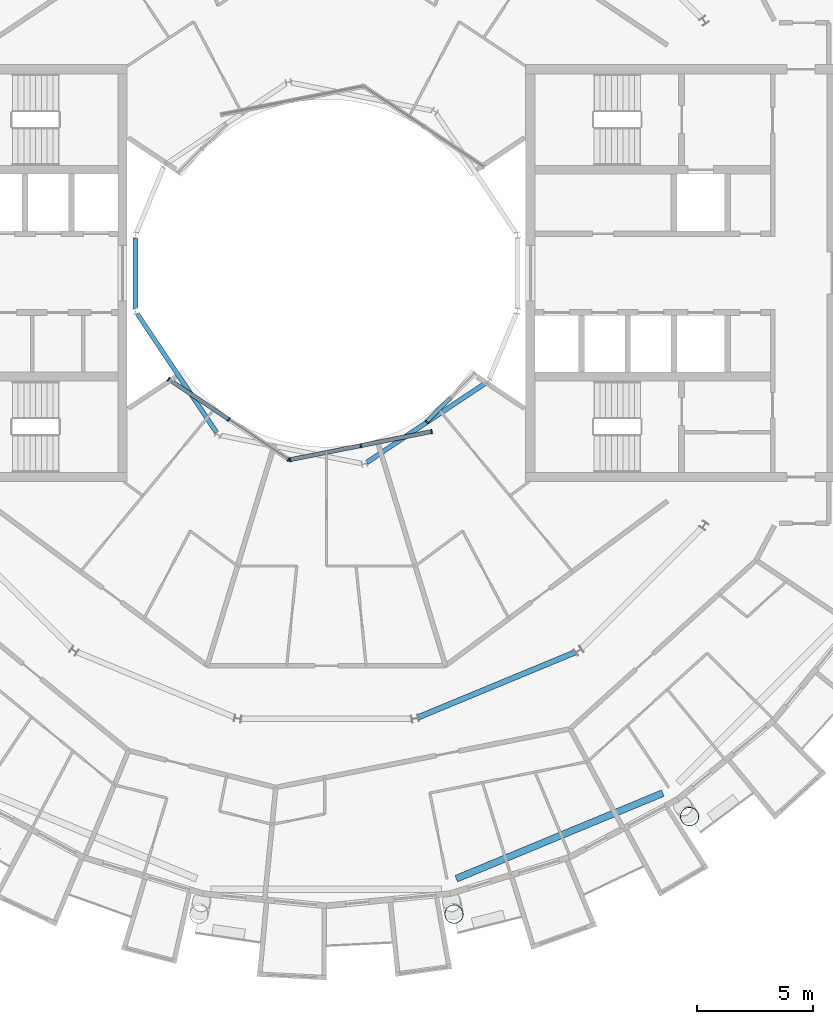
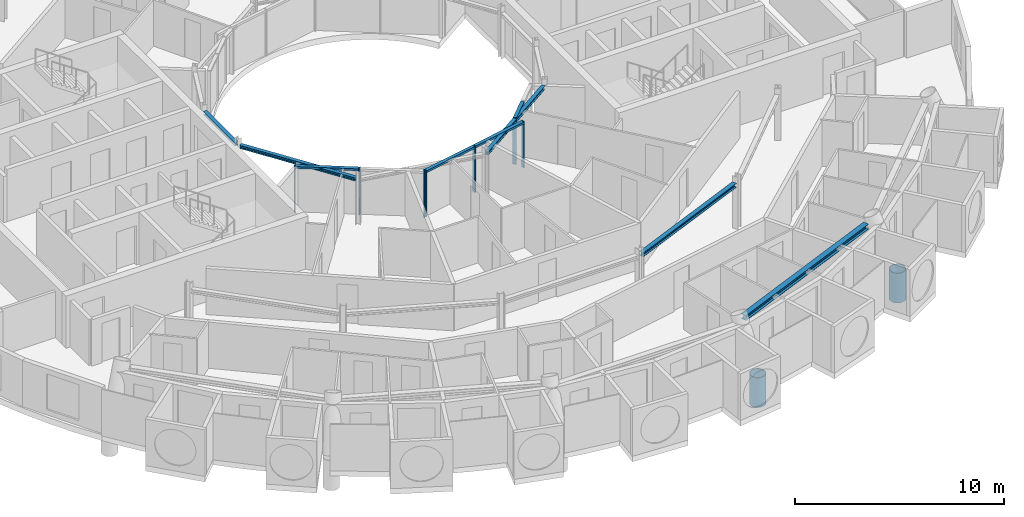
# One storey, part 7 of 28: 13 members, 5 beams, 3 elements without a shape of their own.
"""IFC4 building model written with IfcOpenShell, lengths in metres."""

from ifc_helpers import new_model, si_unit, direction, frame, origin, origin_2d, place, context, subcontext, project, spatial, rectangle, hollow_circle, i_section, extrude, material, layer, layer_set, material_profile, profile_set, type_object, element, aggregate, save


model = new_model("IFC4")

# Units and contexts
model_context = context("Model", 3, precision=1e-05, world=origin(), true_north=direction((0.0, 1.0)))
body_context = subcontext(model_context, "Body", "Model", "MODEL_VIEW")
ifc_project = project(units=[si_unit("LENGTHUNIT", "METRE"), si_unit("AREAUNIT", "SQUARE_METRE"), si_unit("VOLUMEUNIT", "CUBIC_METRE"), si_unit("PLANEANGLEUNIT", "RADIAN"), si_unit("MASSUNIT", "GRAM", prefix="KILO")], contexts=[model_context])

# Site, building, storey
site_placement = place(None, origin())
site = spatial("IfcSite", under=ifc_project, at=site_placement, CompositionType="ELEMENT")
building_placement = place(site_placement, origin())
building = spatial("IfcBuilding", under=site, at=building_placement, Name="Maasbend Ring Residences", CompositionType="ELEMENT")
storey_placement = place(building_placement, frame((0.0, 0.0, 231.0)))
storey = spatial("IfcBuildingStorey", under=building, at=storey_placement, Name="L66", CompositionType="ELEMENT", Elevation=231.0)

# Curtain wall, members
ifc_material_1 = material(Name="Aluminium and clear glass", Category="aluminium")
ifc_layer = layer(ifc_material_1, 0.179931640625)
ifc_layer_set = layer_set([ifc_layer], Name="CW-W")
curtain_wall_type = type_object("IfcCurtainWallType", Name="CW-W", PredefinedType="NOTDEFINED", material=ifc_layer_set)
curtain_wall_1_placement = place(storey_placement, origin())
curtain_wall_1 = element("IfcCurtainWall", 1, at=curtain_wall_1_placement, inside=storey, type_object=curtain_wall_type, Name="Well curtain wall S1", PredefinedType="NOTDEFINED")
ifc_material_2 = material(Name="Aluminium 6063-T6", Category="aluminium")
ifc_material_profile_1 = material_profile(ifc_material_2, rectangle(XDim=0.179931640625, YDim=0.06005859375, at=origin_2d()), Name="AL 180x60")
ifc_profile_set_1 = profile_set([ifc_material_profile_1], Name="Aluminium 6063-T6")
member_type_1 = type_object("IfcMemberType", Name="CWM-W", PredefinedType="MULLION", material=ifc_profile_set_1)
member_1_placement = place(storey_placement, frame((-6.805908203125, -4.580810546875, 0.0), z_axis=(0.0, 0.0, 1.0), x_axis=(0.55557023302, 0.831469612303, 0.0)))
member_1 = element("IfcMember", 2, at=member_1_placement, type_object=member_type_1, Name="Mullion well face", PredefinedType="MULLION", context=body_context, shape_type="SweptSolid", body=[
    extrude(rectangle(XDim=0.179931640625, YDim=0.06005859375, at=origin_2d()), origin(), (0.0, 0.0, 1.0), 2.699951171875),
])
member_2_placement = place(storey_placement, frame((-4.216796875, -6.310791015625, 0.0), z_axis=(0.0, 0.0, 1.0), x_axis=(0.55557023302, 0.831469612303, 0.0)))
member_2 = element("IfcMember", 3, at=member_2_placement, type_object=member_type_1, Name="Mullion well face", PredefinedType="MULLION", context=body_context, shape_type="SweptSolid", body=[
    extrude(rectangle(XDim=0.179931640625, YDim=0.06005859375, at=origin_2d()), origin(), (0.0, 0.0, 1.0), 2.699951171875),
])
member_3_placement = place(storey_placement, frame((-1.627685546875, -8.040771484375, 0.0), z_axis=(0.0, 0.0, 1.0), x_axis=(0.55557023302, 0.831469612303, 0.0)))
member_3 = element("IfcMember", 4, at=member_3_placement, type_object=member_type_1, Name="Mullion well face", PredefinedType="MULLION", context=body_context, shape_type="SweptSolid", body=[
    extrude(rectangle(XDim=0.179931640625, YDim=0.06005859375, at=origin_2d()), origin(), (0.0, 0.0, 1.0), 2.699951171875),
])

curtain_wall_2_placement = place(storey_placement, origin())
curtain_wall_2 = element("IfcCurtainWall", 5, at=curtain_wall_2_placement, inside=storey, type_object=curtain_wall_type, Name="Well curtain wall S2", PredefinedType="NOTDEFINED")
member_4_placement = place(storey_placement, frame((-1.5732421875, -8.0517578125, 0.0), z_axis=(0.0, 0.0, 1.0), x_axis=(-0.195090322016, 0.980785280403, 0.0)))
member_4 = element("IfcMember", 6, at=member_4_placement, type_object=member_type_1, Name="Mullion well face", PredefinedType="MULLION", context=body_context, shape_type="SweptSolid", body=[
    extrude(rectangle(XDim=0.179931640625, YDim=0.06005859375, at=origin_2d()), origin(), (0.0, 0.0, 1.0), 2.699951171875),
])
member_5_placement = place(storey_placement, frame((1.480712890625, -7.444091796875, 0.0), z_axis=(0.0, 0.0, 1.0), x_axis=(-0.195090322016, 0.980785280403, 0.0)))
member_5 = element("IfcMember", 7, at=member_5_placement, type_object=member_type_1, Name="Mullion well face", PredefinedType="MULLION", context=body_context, shape_type="SweptSolid", body=[
    extrude(rectangle(XDim=0.179931640625, YDim=0.06005859375, at=origin_2d()), origin(), (0.0, 0.0, 1.0), 2.699951171875),
])
member_6_placement = place(storey_placement, frame((4.53466796875, -6.836669921875, 0.0), z_axis=(0.0, 0.0, 1.0), x_axis=(-0.195090322016, 0.980785280403, 0.0)))
member_6 = element("IfcMember", 8, at=member_6_placement, type_object=member_type_1, Name="Mullion well face", PredefinedType="MULLION", context=body_context, shape_type="SweptSolid", body=[
    extrude(rectangle(XDim=0.179931640625, YDim=0.06005859375, at=origin_2d()), origin(), (0.0, 0.0, 1.0), 2.699951171875),
])

# Curtain wall, member
curtain_wall_3_placement = place(storey_placement, origin())
curtain_wall_3 = element("IfcCurtainWall", 9, at=curtain_wall_3_placement, inside=storey, type_object=curtain_wall_type, Name="Well curtain wall S3", PredefinedType="NOTDEFINED")
member_7_placement = place(storey_placement, frame((4.320556640625, -6.413330078125, 0.0), z_axis=(0.0, 0.0, 1.0), x_axis=(-0.707106781187, 0.707106781187, 0.0)))
member_7 = element("IfcMember", 10, at=member_7_placement, type_object=member_type_1, Name="Mullion well face", PredefinedType="MULLION", context=body_context, shape_type="SweptSolid", body=[
    extrude(rectangle(XDim=0.179931640625, YDim=0.06005859375, at=origin_2d()), origin(), (0.0, 0.0, 1.0), 2.699951171875),
])

# Member
ifc_material_3 = material(Name="Aluminium 6063-T6", Category="aluminium")
ifc_material_profile_2 = material_profile(ifc_material_3, rectangle(XDim=0.179931640625, YDim=0.1201171875, at=origin_2d()), Name="AL 180x120")
ifc_profile_set_2 = profile_set([ifc_material_profile_2], Name="Aluminium 6063-T6")
member_type_2 = type_object("IfcMemberType", Name="CWT-W", PredefinedType="USERDEFINED", material=ifc_profile_set_2)
member_8_placement = place(storey_placement, frame((-6.781005859375, -4.59765625, 2.639892578125), z_axis=(0.831496422459, -0.555530106689, 0.0), x_axis=(0.555530106689, 0.831496422459, 0.0)))
member_8 = element("IfcMember", 11, at=member_8_placement, type_object=member_type_2, Name="Transom well face", ObjectType="TRANSOM", PredefinedType="USERDEFINED", context=body_context, shape_type="SweptSolid", body=[
    extrude(rectangle(XDim=0.179931640625, YDim=0.1201171875, at=origin_2d()), origin(), (0.0, 0.0, 1.0), 3.053955078125),
])

aggregate(curtain_wall_1, [member_1, member_2, member_3, member_8])

member_9_placement = place(storey_placement, frame((-1.5439453125, -8.0458984375, 2.639892578125), z_axis=(0.980776956105, 0.195132166424, 0.0), x_axis=(-0.195132166424, 0.980776956105, 0.0)))
member_9 = element("IfcMember", 12, at=member_9_placement, type_object=member_type_2, Name="Transom well face", ObjectType="TRANSOM", PredefinedType="USERDEFINED", context=body_context, shape_type="SweptSolid", body=[
    extrude(rectangle(XDim=0.179931640625, YDim=0.1201171875, at=origin_2d()), origin(), (0.0, 0.0, 1.0), 3.053955078125),
])

member_10_placement = place(storey_placement, frame((1.51025390625, -7.438232421875, 2.639892578125), z_axis=(0.980789210404, 0.19507056353, 0.0), x_axis=(-0.19507056353, 0.980789210404, 0.0)))
member_10 = element("IfcMember", 13, at=member_10_placement, type_object=member_type_2, Name="Transom well face", ObjectType="TRANSOM", PredefinedType="USERDEFINED", context=body_context, shape_type="SweptSolid", body=[
    extrude(rectangle(XDim=0.179931640625, YDim=0.1201171875, at=origin_2d()), origin(), (0.0, 0.0, 1.0), 3.0537109375),
])

aggregate(curtain_wall_2, [member_4, member_5, member_6, member_9, member_10])

member_11_placement = place(storey_placement, frame((4.341796875, -6.39208984375, 2.639892578125), z_axis=(0.707106781187, 0.707106781187, 0.0), x_axis=(-0.707106781187, 0.707106781187, 0.0)))
member_11 = element("IfcMember", 14, at=member_11_placement, type_object=member_type_2, Name="Transom well face", ObjectType="TRANSOM", PredefinedType="USERDEFINED", context=body_context, shape_type="SweptSolid", body=[
    extrude(rectangle(XDim=0.179931640625, YDim=0.1201171875, at=origin_2d()), origin(), (0.0, 0.0, 1.0), 1.419677734375),
])

aggregate(curtain_wall_3, [member_7, member_11])

# Members
ifc_material_4 = material(Name="Steel S460NH", Category="steel")
ifc_material_profile_3 = material_profile(ifc_material_4, hollow_circle(Radius=0.406494140625, WallThickness=0.030029296875, at=origin_2d()), Name="Column node insert CHS 813x30")
ifc_profile_set_3 = profile_set([ifc_material_profile_3], Name="Steel S460NH")
member_type_3 = type_object("IfcMemberType", Name="Column node insert CHS 813x30", PredefinedType="POST", material=ifc_profile_set_3)
for number, where, z_axis, x_axis, name in (
    (15, (5.50146484375, -27.658203125, -1.5), (0.0, 0.0, 1.0), (1.0, 0.0, 0.0), "Column node insert R13"),
    (16, (15.6669921875, -23.447509765625, -1.5), (0.0, 0.0, 1.0), (1.0, 0.0, 0.0), "Column node insert R14"),
):
    element("IfcMember", number, at=place(storey_placement, frame(where, z_axis=z_axis, x_axis=x_axis)), inside=storey, type_object=member_type_3, Name=name, PredefinedType="POST", context=body_context, shape_type="SweptSolid", body=[
        extrude(hollow_circle(Radius=0.406494140625, WallThickness=0.030029296875, at=origin_2d()), origin(), (0.0, 0.0, 1.0), 1.74169921875),
    ])

# Beams
ifc_material_5 = material(Name="Steel S355J2", Category="steel")
ifc_material_profile_4 = material_profile(ifc_material_5, i_section(OverallWidth=0.239990234375, OverallDepth=0.22998046875, WebThickness=0.007568359375, FlangeThickness=0.011962890625, FilletRadius=0.02099609375, at=origin_2d()), Name="HEA 240")
ifc_profile_set_4 = profile_set([ifc_material_profile_4], Name="Steel S355J2")
beam_type_1 = type_object("IfcBeamType", Name="Corridor ring beam HEA 240", PredefinedType="BEAM", material=ifc_profile_set_4)
beam_1_placement = place(storey_placement, frame((3.965087890625, -19.164794921875, 2.5849609375), z_axis=(0.923875784142, 0.382692481603, 0.0), x_axis=(-0.382692481603, 0.923875784142, 0.0)))
element("IfcBeam", 17, at=beam_1_placement, inside=storey, type_object=beam_type_1, Name="Corridor ring beam", PredefinedType="BEAM", context=body_context, shape_type="SweptSolid", body=[
    extrude(i_section(OverallWidth=0.239990234375, OverallDepth=0.22998046875, WebThickness=0.007568359375, FlangeThickness=0.011962890625, FilletRadius=0.02099609375, at=origin_2d()), origin(), (0.0, 0.0, 1.0), 7.341552734375),
])
ifc_material_6 = material(Name="Steel S355J2", Category="steel")
ifc_material_profile_5 = material_profile(ifc_material_6, i_section(OverallWidth=0.300048828125, OverallDepth=0.300048828125, WebThickness=0.010986328125, FlangeThickness=0.01904296875, FilletRadius=0.027099609375, at=origin_2d()), Name="HEB 300")
ifc_profile_set_5 = profile_set([ifc_material_profile_5], Name="Steel S355J2")
beam_type_2 = type_object("IfcBeamType", Name="Spandrel ring beam HEB 300", PredefinedType="SPANDREL", material=ifc_profile_set_5)
beam_2_placement = place(storey_placement, frame((5.60400390625, -26.12939453125, 2.550048828125), z_axis=(0.92388230488, 0.382676739206, 0.0), x_axis=(-0.382676739206, 0.92388230488, 0.0)))
element("IfcBeam", 18, at=beam_2_placement, inside=storey, type_object=beam_type_2, Name="Spandrel ring beam", PredefinedType="SPANDREL", context=body_context, shape_type="SweptSolid", body=[
    extrude(i_section(OverallWidth=0.300048828125, OverallDepth=0.300048828125, WebThickness=0.010986328125, FlangeThickness=0.01904296875, FilletRadius=0.027099609375, at=origin_2d()), origin(), (0.0, 0.0, 1.0), 9.643798828125),
])
ifc_material_7 = material(Name="Steel S355J2", Category="steel")
ifc_material_profile_6 = material_profile(ifc_material_7, i_section(OverallWidth=0.199951171875, OverallDepth=0.18994140625, WebThickness=0.006591796875, FlangeThickness=0.010009765625, FilletRadius=0.01806640625, at=origin_2d()), Name="HEA 200")
ifc_profile_set_6 = profile_set([ifc_material_profile_6], Name="Steel S355J2")
beam_type_3 = type_object("IfcBeamType", Name="Well edge beam HEA 200", PredefinedType="BEAM", material=ifc_profile_set_6)
beam_3_placement = place(storey_placement, frame((-8.238525390625, 1.521484375, 2.60498046875), z_axis=(0.0, -1.0, 0.0), x_axis=(1.0, 0.0, 0.0)))
element("IfcBeam", 19, at=beam_3_placement, inside=storey, type_object=beam_type_3, Name="Well edge beam", PredefinedType="BEAM", context=body_context, shape_type="SweptSolid", body=[
    extrude(i_section(OverallWidth=0.199951171875, OverallDepth=0.18994140625, WebThickness=0.006591796875, FlangeThickness=0.010009765625, FilletRadius=0.01806640625, at=origin_2d()), origin(), (0.0, 0.0, 1.0), 3.04296875),
])
for number, where, z_axis, x_axis, name in (
    (20, (-8.16943359375, -1.7421875, 2.60498046875), (0.555547729421, -0.831484648286, 0.0), (0.831484648286, 0.555547729421, 0.0), "Well edge beam"),
    (21, (1.7421875, -8.16943359375, 2.60498046875), (0.831484648286, 0.555547729421, 0.0), (-0.555547729421, 0.831484648286, 0.0), "Well edge beam"),
):
    element("IfcBeam", number, at=place(storey_placement, frame(where, z_axis=z_axis, x_axis=x_axis)), inside=storey, type_object=beam_type_3, Name=name, PredefinedType="BEAM", context=body_context, shape_type="SweptSolid", body=[
        extrude(i_section(OverallWidth=0.199951171875, OverallDepth=0.18994140625, WebThickness=0.006591796875, FlangeThickness=0.010009765625, FilletRadius=0.01806640625, at=origin_2d()), origin(), (0.0, 0.0, 1.0), 6.18017578125),
    ])

save(model, "model.ifc")
